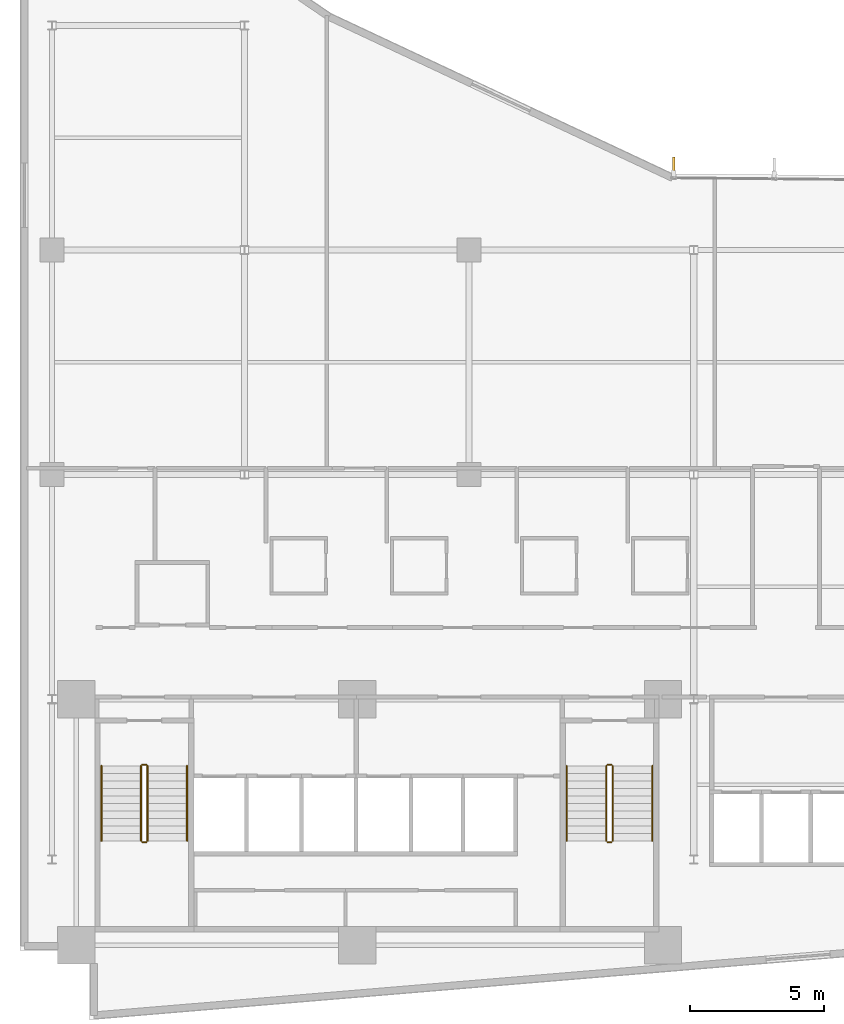
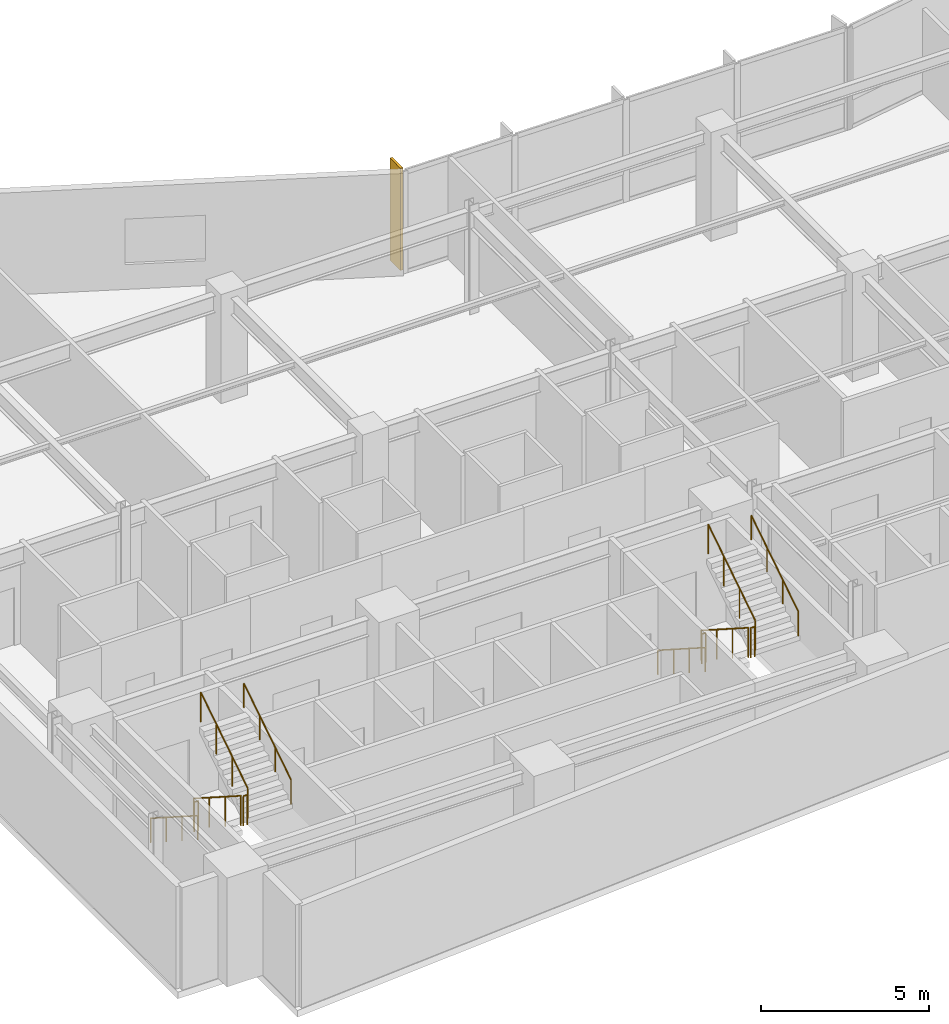
# One storey, part 14 of 18: 12 railings, 1 shading device.
"""IFC4 building model written with IfcOpenShell, lengths in metres."""

from ifc_helpers import new_model, si_unit, direction, frame, origin, origin_2d, place, context, subcontext, project, spatial, rectangle, circle, extrude, material, layer, layer_set, type_object, element, save


model = new_model("IFC4")

# Units and contexts
model_context = context("Model", 3, precision=1e-05, world=origin(), true_north=direction((0.0, 1.0)))
body_context = subcontext(model_context, "Body", "Model", "MODEL_VIEW")
ifc_project = project(units=[si_unit("LENGTHUNIT", "METRE"), si_unit("AREAUNIT", "SQUARE_METRE"), si_unit("VOLUMEUNIT", "CUBIC_METRE"), si_unit("PLANEANGLEUNIT", "RADIAN"), si_unit("MASSUNIT", "GRAM", prefix="KILO")], contexts=[model_context])

# Site, building, storey
site_placement = place(None, origin())
site = spatial("IfcSite", under=ifc_project, at=site_placement, CompositionType="ELEMENT")
building_placement = place(site_placement, origin())
building = spatial("IfcBuilding", under=site, at=building_placement, Name="Varnakote Quay Hospital", CompositionType="ELEMENT")
storey_placement = place(building_placement, frame((0.0, 0.0, 73.85009765625)))
storey = spatial("IfcBuildingStorey", under=building, at=storey_placement, Name="L18", CompositionType="ELEMENT", Elevation=73.85009765625)

# Railings
ifc_material_1 = material(Name="Brushed stainless steel balustrade", Category="steel")
railing_type_1 = type_object("IfcRailingType", Name="RLG-STAIR-GUARD-1150", PredefinedType="GUARDRAIL", material=ifc_material_1)
railing_1_placement = place(storey_placement, frame((4.530029296875, 9.5, 0.179443359375)))
element("IfcRailing", 1, at=railing_1_placement, inside=storey, type_object=railing_type_1, Name="L18 ST-01 stair guard 1", PredefinedType="GUARDRAIL", context=body_context, shape_type="SweptSolid", body=[
    extrude(circle(Radius=0.02392578125, at=origin_2d()), frame((0.0, 0.0, 1.076171875), z_axis=(0.0, -0.841809871826, 0.539774156196), x_axis=(1.0, 0.0, 0.0)), (0.0, 0.0, 1.0), 3.326171875),
    extrude(circle(Radius=0.02099609375, at=origin_2d()), origin(), (0.0, 0.0, 1.0), 1.052001953125),
    extrude(circle(Radius=0.02099609375, at=origin_2d()), frame((0.0, -0.933349609375, 0.598388671875)), (0.0, 0.0, 1.0), 1.052001953125),
    extrude(circle(Radius=0.02099609375, at=origin_2d()), frame((0.0, -1.86669921875, 1.197021484375)), (0.0, 0.0, 1.0), 1.052001953125),
    extrude(circle(Radius=0.02099609375, at=origin_2d()), frame((0.0, -2.800048828125, 1.79541015625)), (0.0, 0.0, 1.0), 1.052001953125),
])
railing_2_placement = place(storey_placement, frame((4.580078125, 6.64990234375, 1.974853515625)))
element("IfcRailing", 2, at=railing_2_placement, inside=storey, type_object=railing_type_1, Name="L18 ST-01 stair guard 2", PredefinedType="GUARDRAIL", context=body_context, shape_type="SweptSolid", body=[
    extrude(circle(Radius=0.02392578125, at=origin_2d()), frame((0.0, 0.0, 1.076171875), z_axis=(1.0, 0.0, 0.0), x_axis=(0.0, 1.0, 0.0)), (0.0, 0.0, 1.0), 0.139892578125),
    extrude(circle(Radius=0.02099609375, at=origin_2d()), origin(), (0.0, 0.0, 1.0), 1.052001953125),
    extrude(circle(Radius=0.02099609375, at=origin_2d()), frame((0.139892578125, 0.0, 0.0)), (0.0, 0.0, 1.0), 1.052001953125),
])
railing_3_placement = place(storey_placement, frame((4.77001953125, 6.699951171875, 2.154541015625)))
element("IfcRailing", 3, at=railing_3_placement, inside=storey, type_object=railing_type_1, Name="L18 ST-01 stair guard 3", PredefinedType="GUARDRAIL", context=body_context, shape_type="SweptSolid", body=[
    extrude(circle(Radius=0.02392578125, at=origin_2d()), frame((0.0, 0.0, 1.076171875), z_axis=(0.0, 0.841809871826, 0.539774156196), x_axis=(-1.0, 0.0, 0.0)), (0.0, 0.0, 1.0), 3.326171875),
    extrude(circle(Radius=0.02099609375, at=origin_2d()), origin(), (0.0, 0.0, 1.0), 1.052001953125),
    extrude(circle(Radius=0.02099609375, at=origin_2d()), frame((0.0, 0.933349609375, 0.598388671875)), (0.0, 0.0, 1.0), 1.052001953125),
    extrude(circle(Radius=0.02099609375, at=origin_2d()), frame((0.0, 1.86669921875, 1.197021484375)), (0.0, 0.0, 1.0), 1.052001953125),
    extrude(circle(Radius=0.02099609375, at=origin_2d()), frame((0.0, 2.800048828125, 1.79541015625)), (0.0, 0.0, 1.0), 1.052001953125),
])
railing_4_placement = place(storey_placement, frame((4.580078125, 9.550048828125, 0.0)))
element("IfcRailing", 4, at=railing_4_placement, inside=storey, type_object=railing_type_1, Name="L18 ST-01 stair guard 4", PredefinedType="GUARDRAIL", context=body_context, shape_type="SweptSolid", body=[
    extrude(circle(Radius=0.02392578125, at=origin_2d()), frame((0.0, 0.0, 1.076171875), z_axis=(1.0, 0.0, 0.0), x_axis=(0.0, 1.0, 0.0)), (0.0, 0.0, 1.0), 0.139892578125),
    extrude(circle(Radius=0.02099609375, at=origin_2d()), origin(), (0.0, 0.0, 1.0), 1.052001953125),
    extrude(circle(Radius=0.02099609375, at=origin_2d()), frame((0.139892578125, 0.0, 0.0)), (0.0, 0.0, 1.0), 1.052001953125),
])
railing_5_placement = place(storey_placement, frame((21.929931640625, 9.5, 0.179443359375)))
element("IfcRailing", 5, at=railing_5_placement, inside=storey, type_object=railing_type_1, Name="L18 ST-02 stair guard 1", PredefinedType="GUARDRAIL", context=body_context, shape_type="SweptSolid", body=[
    extrude(circle(Radius=0.02392578125, at=origin_2d()), frame((0.0, 0.0, 1.076171875), z_axis=(0.0, -0.841809871826, 0.539774156196), x_axis=(1.0, 0.0, 0.0)), (0.0, 0.0, 1.0), 3.326171875),
    extrude(circle(Radius=0.02099609375, at=origin_2d()), origin(), (0.0, 0.0, 1.0), 1.052001953125),
    extrude(circle(Radius=0.02099609375, at=origin_2d()), frame((0.0, -0.933349609375, 0.598388671875)), (0.0, 0.0, 1.0), 1.052001953125),
    extrude(circle(Radius=0.02099609375, at=origin_2d()), frame((0.0, -1.86669921875, 1.197021484375)), (0.0, 0.0, 1.0), 1.052001953125),
    extrude(circle(Radius=0.02099609375, at=origin_2d()), frame((0.0, -2.800048828125, 1.79541015625)), (0.0, 0.0, 1.0), 1.052001953125),
])
railing_6_placement = place(storey_placement, frame((21.97998046875, 6.64990234375, 1.974853515625)))
element("IfcRailing", 6, at=railing_6_placement, inside=storey, type_object=railing_type_1, Name="L18 ST-02 stair guard 2", PredefinedType="GUARDRAIL", context=body_context, shape_type="SweptSolid", body=[
    extrude(circle(Radius=0.02392578125, at=origin_2d()), frame((0.0, 0.0, 1.076171875), z_axis=(1.0, 0.0, 0.0), x_axis=(0.0, 1.0, 0.0)), (0.0, 0.0, 1.0), 0.14013671875),
    extrude(circle(Radius=0.02099609375, at=origin_2d()), origin(), (0.0, 0.0, 1.0), 1.052001953125),
    extrude(circle(Radius=0.02099609375, at=origin_2d()), frame((0.14013671875, 0.0, 0.0)), (0.0, 0.0, 1.0), 1.052001953125),
])
railing_7_placement = place(storey_placement, frame((22.169921875, 6.699951171875, 2.154541015625)))
element("IfcRailing", 7, at=railing_7_placement, inside=storey, type_object=railing_type_1, Name="L18 ST-02 stair guard 3", PredefinedType="GUARDRAIL", context=body_context, shape_type="SweptSolid", body=[
    extrude(circle(Radius=0.02392578125, at=origin_2d()), frame((0.0, 0.0, 1.076171875), z_axis=(0.0, 0.841809871826, 0.539774156196), x_axis=(-1.0, 0.0, 0.0)), (0.0, 0.0, 1.0), 3.326171875),
    extrude(circle(Radius=0.02099609375, at=origin_2d()), origin(), (0.0, 0.0, 1.0), 1.052001953125),
    extrude(circle(Radius=0.02099609375, at=origin_2d()), frame((0.0, 0.933349609375, 0.598388671875)), (0.0, 0.0, 1.0), 1.052001953125),
    extrude(circle(Radius=0.02099609375, at=origin_2d()), frame((0.0, 1.86669921875, 1.197021484375)), (0.0, 0.0, 1.0), 1.052001953125),
    extrude(circle(Radius=0.02099609375, at=origin_2d()), frame((0.0, 2.800048828125, 1.79541015625)), (0.0, 0.0, 1.0), 1.052001953125),
])
railing_8_placement = place(storey_placement, frame((21.97998046875, 9.550048828125, 0.0)))
element("IfcRailing", 8, at=railing_8_placement, inside=storey, type_object=railing_type_1, Name="L18 ST-02 stair guard 4", PredefinedType="GUARDRAIL", context=body_context, shape_type="SweptSolid", body=[
    extrude(circle(Radius=0.02392578125, at=origin_2d()), frame((0.0, 0.0, 1.076171875), z_axis=(1.0, 0.0, 0.0), x_axis=(0.0, 1.0, 0.0)), (0.0, 0.0, 1.0), 0.14013671875),
    extrude(circle(Radius=0.02099609375, at=origin_2d()), origin(), (0.0, 0.0, 1.0), 1.052001953125),
    extrude(circle(Radius=0.02099609375, at=origin_2d()), frame((0.14013671875, 0.0, 0.0)), (0.0, 0.0, 1.0), 1.052001953125),
])
ifc_material_2 = material(Name="Brushed stainless steel handrail", Category="steel")
railing_type_2 = type_object("IfcRailingType", Name="RLG-STAIR-HND-920", PredefinedType="HANDRAIL", material=ifc_material_2)
railing_9_placement = place(storey_placement, frame((3.050048828125, 9.5, 0.179443359375)))
element("IfcRailing", 9, at=railing_9_placement, inside=storey, type_object=railing_type_2, Name="L18 ST-01 stair handrail 1", PredefinedType="HANDRAIL", context=body_context, shape_type="SweptSolid", body=[
    extrude(circle(Radius=0.02392578125, at=origin_2d()), frame((0.0, 0.0, 0.8759765625), z_axis=(0.0, -0.841809871826, 0.539774156196), x_axis=(1.0, 0.0, 0.0)), (0.0, 0.0, 1.0), 3.326171875),
    extrude(circle(Radius=0.02099609375, at=origin_2d()), origin(), (0.0, 0.0, 1.0), 0.851806640625),
    extrude(circle(Radius=0.02099609375, at=origin_2d()), frame((0.0, -0.933349609375, 0.598388671875)), (0.0, 0.0, 1.0), 0.851806640625),
    extrude(circle(Radius=0.02099609375, at=origin_2d()), frame((0.0, -1.86669921875, 1.197021484375)), (0.0, 0.0, 1.0), 0.851806640625),
    extrude(circle(Radius=0.02099609375, at=origin_2d()), frame((0.0, -2.800048828125, 1.79541015625)), (0.0, 0.0, 1.0), 0.851806640625),
])
railing_10_placement = place(storey_placement, frame((6.25, 6.699951171875, 2.154541015625)))
element("IfcRailing", 10, at=railing_10_placement, inside=storey, type_object=railing_type_2, Name="L18 ST-01 stair handrail 2", PredefinedType="HANDRAIL", context=body_context, shape_type="SweptSolid", body=[
    extrude(circle(Radius=0.02392578125, at=origin_2d()), frame((0.0, 0.0, 0.8759765625), z_axis=(0.0, 0.841809871826, 0.539774156196), x_axis=(-1.0, 0.0, 0.0)), (0.0, 0.0, 1.0), 3.326171875),
    extrude(circle(Radius=0.02099609375, at=origin_2d()), origin(), (0.0, 0.0, 1.0), 0.851806640625),
    extrude(circle(Radius=0.02099609375, at=origin_2d()), frame((0.0, 0.933349609375, 0.598388671875)), (0.0, 0.0, 1.0), 0.851806640625),
    extrude(circle(Radius=0.02099609375, at=origin_2d()), frame((0.0, 1.86669921875, 1.197021484375)), (0.0, 0.0, 1.0), 0.851806640625),
    extrude(circle(Radius=0.02099609375, at=origin_2d()), frame((0.0, 2.800048828125, 1.79541015625)), (0.0, 0.0, 1.0), 0.851806640625),
])
railing_11_placement = place(storey_placement, frame((20.449951171875, 9.5, 0.179443359375)))
element("IfcRailing", 11, at=railing_11_placement, inside=storey, type_object=railing_type_2, Name="L18 ST-02 stair handrail 1", PredefinedType="HANDRAIL", context=body_context, shape_type="SweptSolid", body=[
    extrude(circle(Radius=0.02392578125, at=origin_2d()), frame((0.0, 0.0, 0.8759765625), z_axis=(0.0, -0.841809871826, 0.539774156196), x_axis=(1.0, 0.0, 0.0)), (0.0, 0.0, 1.0), 3.326171875),
    extrude(circle(Radius=0.02099609375, at=origin_2d()), origin(), (0.0, 0.0, 1.0), 0.851806640625),
    extrude(circle(Radius=0.02099609375, at=origin_2d()), frame((0.0, -0.933349609375, 0.598388671875)), (0.0, 0.0, 1.0), 0.851806640625),
    extrude(circle(Radius=0.02099609375, at=origin_2d()), frame((0.0, -1.86669921875, 1.197021484375)), (0.0, 0.0, 1.0), 0.851806640625),
    extrude(circle(Radius=0.02099609375, at=origin_2d()), frame((0.0, -2.800048828125, 1.79541015625)), (0.0, 0.0, 1.0), 0.851806640625),
])
railing_12_placement = place(storey_placement, frame((23.64990234375, 6.699951171875, 2.154541015625)))
element("IfcRailing", 12, at=railing_12_placement, inside=storey, type_object=railing_type_2, Name="L18 ST-02 stair handrail 2", PredefinedType="HANDRAIL", context=body_context, shape_type="SweptSolid", body=[
    extrude(circle(Radius=0.02392578125, at=origin_2d()), frame((0.0, 0.0, 0.8759765625), z_axis=(0.0, 0.841809871826, 0.539774156196), x_axis=(-1.0, 0.0, 0.0)), (0.0, 0.0, 1.0), 3.326171875),
    extrude(circle(Radius=0.02099609375, at=origin_2d()), origin(), (0.0, 0.0, 1.0), 0.851806640625),
    extrude(circle(Radius=0.02099609375, at=origin_2d()), frame((0.0, 0.933349609375, 0.598388671875)), (0.0, 0.0, 1.0), 0.851806640625),
    extrude(circle(Radius=0.02099609375, at=origin_2d()), frame((0.0, 1.86669921875, 1.197021484375)), (0.0, 0.0, 1.0), 0.851806640625),
    extrude(circle(Radius=0.02099609375, at=origin_2d()), frame((0.0, 2.800048828125, 1.79541015625)), (0.0, 0.0, 1.0), 0.851806640625),
])

# Shading device
ifc_material_3 = material(Name="Anodised aluminium 6063-T6 Bronze", Category="aluminium")
ifc_layer = layer(ifc_material_3, 0.0849609375)
ifc_layer_set = layer_set([ifc_layer], Name="Anodised aluminium 6063-T6 Bronze")
shading_device_type = type_object("IfcShadingDeviceType", Name="SHD-BRONZE-FIN-620", PredefinedType="USERDEFINED", material=ifc_layer_set)
shading_device_placement = place(storey_placement, frame((24.44970703125, 31.9619140625, 0.0), z_axis=(0.0, 0.0, 1.0), x_axis=(-0.009773688199, -0.999952236369, 0.0)))
element("IfcShadingDevice", 13, at=shading_device_placement, inside=storey, type_object=shading_device_type, Name="L18 Anodised Bronze Vertical Shading FIN", ObjectType="FIN", PredefinedType="USERDEFINED", context=body_context, shape_type="SweptSolid", body=[
    extrude(rectangle(XDim=0.6201171875, YDim=0.0849609375, at=origin_2d()), origin(), (0.0, 0.0, 1.0), 3.7099609375),
])

save(model, "model.ifc")
